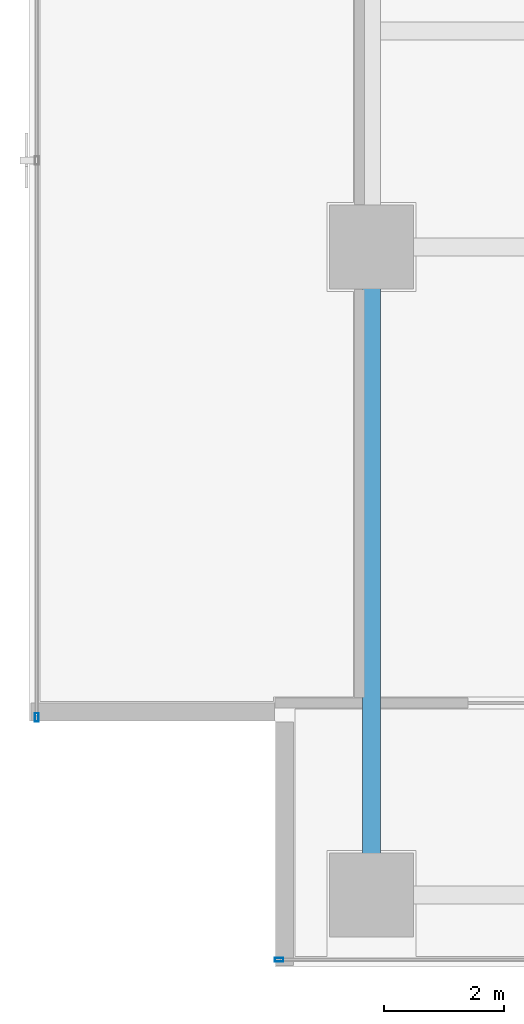
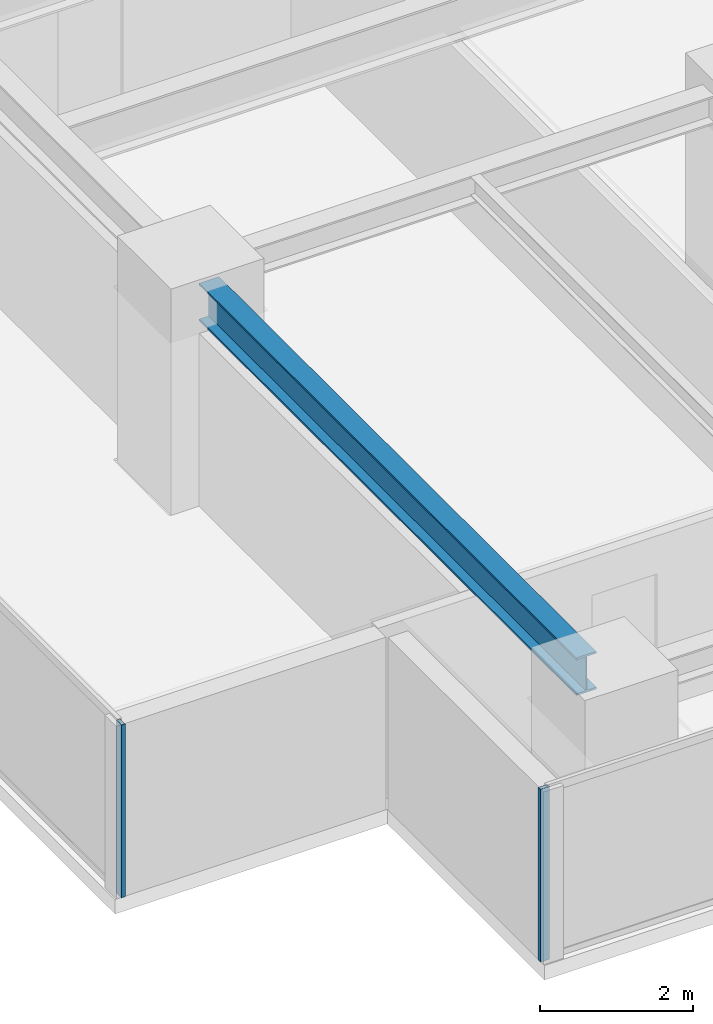
# One storey, part 2 of 26: 2 members, 1 beam, 2 elements without a shape of their own.
"""IFC4 building model written with IfcOpenShell, lengths in metres."""

import ifcopenshell
import ifcopenshell.guid

model = None  # the IFC model being written
_history = None  # IfcOwnerHistory: only IFC2X3 demands one
_inside = {}  # id of a spatial element -> (the spatial element, [elements in it])
_under = {}  # id of a project, library or spatial element -> (it, [spatial elements below it])
_declared = {}  # id of a project -> (the project, [libraries it declares])
_typed = {}  # id of a type object -> (the type object, [elements of that type])
_made_of = {}  # id of a material, layer set ... -> (it, [elements and type objects made of it])


def new_model(schema):
    """Start an empty IFC model of exactly this schema.

    Asked for "IFC4X3", IfcOpenShell would pick the latest addendum, in which some entities
    have other attributes; the version numbers below select the first issue.
    IFC2X3 requires an IfcOwnerHistory on every rooted entity: one is made here for all.
    """
    global model, _history
    if schema == "IFC4X3":
        model = ifcopenshell.file(schema_version=(4, 3, 0, 0))
    else:
        model = ifcopenshell.file(schema=schema)
    _inside.clear()
    _under.clear()
    _declared.clear()
    _typed.clear()
    _made_of.clear()
    _history = None
    if model.schema == "IFC2X3":
        org = make("IfcOrganization", Name="unknown")
        user = make(
            "IfcPersonAndOrganization",
            ThePerson=make("IfcPerson", FamilyName="unknown"),
            TheOrganization=org,
        )
        app = make(
            "IfcApplication",
            ApplicationDeveloper=org,
            Version="unknown",
            ApplicationFullName="unknown",
            ApplicationIdentifier="unknown",
        )
        _history = make(
            "IfcOwnerHistory",
            OwningUser=user,
            OwningApplication=app,
            ChangeAction="ADDED",
            CreationDate=0,
        )
    return model


def make(cls, **values):
    """One entity of the class cls with the attributes given. An attribute that is None is left unset."""
    return model.create_entity(
        cls, **{name: value for name, value in values.items() if value is not None}
    )


def rooted(cls, **values):
    """An entity with a GlobalId (a new one), such as an element, a storey or a relation."""
    return make(cls, GlobalId=ifcopenshell.guid.new(), OwnerHistory=_history, **values)


def si_unit(unit_type, name, prefix=None):
    """IfcSIUnit, for example si_unit("LENGTHUNIT", "METRE", prefix="MILLI")."""
    return make("IfcSIUnit", UnitType=unit_type, Prefix=prefix, Name=name)


def assignment(units):
    """IfcUnitAssignment: the units of a project."""
    return None if units is None else make("IfcUnitAssignment", Units=units)


def point(xyz):
    """IfcCartesianPoint."""
    return None if xyz is None else make("IfcCartesianPoint", Coordinates=xyz)


def direction(xyz):
    """IfcDirection."""
    return None if xyz is None else make("IfcDirection", DirectionRatios=xyz)


def frame(location, z_axis=None, x_axis=None):
    """IfcAxis2Placement3D, a coordinate frame: its origin and axes. An axis left out is left unset."""
    return make(
        "IfcAxis2Placement3D",
        Location=point(location),
        Axis=direction(z_axis),
        RefDirection=direction(x_axis),
    )


def frame_2d(location, x_axis=None):
    """IfcAxis2Placement2D, a coordinate frame in the plane: its origin and x axis."""
    return make(
        "IfcAxis2Placement2D", Location=point(location), RefDirection=direction(x_axis)
    )


def origin():
    """The frame at (0, 0, 0) with its axes left unset."""
    return frame((0.0, 0.0, 0.0))


def origin_2d():
    """The frame at (0, 0) in the plane with its x axis left unset."""
    return frame_2d((0.0, 0.0))


def place(relative_to, where):
    """IfcLocalPlacement: puts the frame where relative to a parent placement (None: the world)."""
    return make(
        "IfcLocalPlacement", PlacementRelTo=relative_to, RelativePlacement=where
    )


def context(
    kind, dimensions, precision=None, world=None, true_north=None, identifier=None
):
    """IfcGeometricRepresentationContext, for example the 3D "Model" context."""
    return make(
        "IfcGeometricRepresentationContext",
        ContextIdentifier=identifier,
        ContextType=kind,
        CoordinateSpaceDimension=dimensions,
        Precision=precision,
        WorldCoordinateSystem=world,
        TrueNorth=true_north,
    )


def subcontext(parent, identifier, kind, view, scale=None):
    """IfcGeometricRepresentationSubContext, for example "Body" below "Model"."""
    return make(
        "IfcGeometricRepresentationSubContext",
        ContextIdentifier=identifier,
        ContextType=kind,
        ParentContext=parent,
        TargetScale=scale,
        TargetView=view,
    )


def project(units=None, contexts=None):
    """IfcProject with its units and contexts."""
    return rooted(
        "IfcProject",
        Name="project",
        RepresentationContexts=contexts,
        UnitsInContext=assignment(units),
    )


def spatial(cls, under=None, at=None, **own):
    """A site, building, storey or space (cls), placed at a placement, below another one or the project."""
    s = rooted(cls, ObjectPlacement=at, **own)
    if under is not None:
        _under.setdefault(under.id(), (under, []))[1].append(s)
    return s


def profile(cls, at=None, kind="AREA", **sizes):
    """A parametric profile (cls). Its sizes go by their IFC names, for example OverallWidth=200.0."""
    return make(cls, ProfileType=kind, Position=at, **sizes)


def hollow_rectangle(**sizes):
    """IfcRectangleHollowProfileDef."""
    return profile("IfcRectangleHollowProfileDef", **sizes)


def i_section(**sizes):
    """IfcIShapeProfileDef."""
    return profile("IfcIShapeProfileDef", **sizes)


def extrude(swept, where, along, depth):
    """IfcExtrudedAreaSolid: the profile swept, set in the frame where, extruded along a direction by depth."""
    return make(
        "IfcExtrudedAreaSolid",
        SweptArea=swept,
        Position=where,
        ExtrudedDirection=direction(along),
        Depth=depth,
    )


def shape(context_of_items, identifier, shape_type, items):
    """IfcShapeRepresentation: the items that make up one representation, for example the "Body"."""
    return make(
        "IfcShapeRepresentation",
        ContextOfItems=context_of_items,
        RepresentationIdentifier=identifier,
        RepresentationType=shape_type,
        Items=items,
    )


def source(mapping_origin, context_of_items, identifier, shape_type, items):
    """IfcRepresentationMap: a shape defined once, which mapped items show again and again."""
    return make(
        "IfcRepresentationMap",
        MappingOrigin=mapping_origin,
        MappedRepresentation=shape(context_of_items, identifier, shape_type, items),
    )


def transform(
    local_origin,
    x_axis=None,
    y_axis=None,
    z_axis=None,
    scale=None,
    scale2=None,
    scale3=None,
    uniform=True,
):
    """IfcCartesianTransformationOperator3D, or its non-uniform kind. x_axis, y_axis, z_axis: its Axis1, 2, 3."""
    if uniform:
        return make(
            "IfcCartesianTransformationOperator3D",
            Axis1=direction(x_axis),
            Axis2=direction(y_axis),
            LocalOrigin=point(local_origin),
            Scale=scale,
            Axis3=direction(z_axis),
        )
    return make(
        "IfcCartesianTransformationOperator3DnonUniform",
        Axis1=direction(x_axis),
        Axis2=direction(y_axis),
        LocalOrigin=point(local_origin),
        Scale=scale,
        Axis3=direction(z_axis),
        Scale2=scale2,
        Scale3=scale3,
    )


def mapped(mapping_source, mapping_target):
    """IfcMappedItem: shows the shape of a source again, moved by a transform."""
    return make(
        "IfcMappedItem", MappingSource=mapping_source, MappingTarget=mapping_target
    )


def material(Name=None, Category=None):
    """IfcMaterial."""
    return make("IfcMaterial", Name=Name, Category=Category)


def layer(
    of_material, thickness, ventilated=None, Name=None, Category=None, Priority=None
):
    """IfcMaterialLayer: one layer of a wall or slab, of a material (None: an air gap)."""
    return make(
        "IfcMaterialLayer",
        Material=of_material,
        LayerThickness=thickness,
        IsVentilated=ventilated,
        Name=Name,
        Category=Category,
        Priority=Priority,
    )


def layer_set(layers, Name=None):
    """IfcMaterialLayerSet."""
    return make("IfcMaterialLayerSet", MaterialLayers=layers, LayerSetName=Name)


def material_profile(
    of_material, cross_section, Name=None, Category=None, Priority=None
):
    """IfcMaterialProfile: a cross section and its material."""
    return make(
        "IfcMaterialProfile",
        Name=Name,
        Material=of_material,
        Profile=cross_section,
        Priority=Priority,
        Category=Category,
    )


def profile_set(profiles, Name=None, composite=None):
    """IfcMaterialProfileSet."""
    return make(
        "IfcMaterialProfileSet",
        Name=Name,
        MaterialProfiles=profiles,
        CompositeProfile=composite,
    )


def made_of(thing, what):
    """Note that an element or type object is made of a material, layer set ...; save() writes the relation."""
    if what is not None:
        _made_of.setdefault(what.id(), (what, []))[1].append(thing)
    return thing


def type_object(cls, material=None, **own):
    """A type object (cls), such as IfcWallType, which elements share."""
    return made_of(rooted(cls, **own), material)


def element(
    cls,
    number,
    at=None,
    inside=None,
    cuts=None,
    type_object=None,
    material=None,
    context=None,
    identifier="Body",
    shape_type=None,
    held_by="IfcProductDefinitionShape",
    body=None,
    shapes=None,
    **own,
):
    """One element of the class cls, such as IfcWall. Its Tag is "e" and its number.

    at: its placement. inside: the storey or other place that contains it. cuts: it is an
    opening in that element (IfcRelVoidsElement). A single representation is given by context,
    identifier, shape_type and body (its items); several are given by shapes. held_by: the class
    of the entity that holds the representations. save() writes the other relations.
    """
    e = rooted(cls, Tag="e%d" % number, ObjectPlacement=at, **own)
    if body is not None:
        shapes = [shape(context, identifier, shape_type, body)]
    if shapes is not None:
        e.Representation = make(held_by, Representations=shapes)
    if inside is not None:
        _inside.setdefault(inside.id(), (inside, []))[1].append(e)
    if cuts is not None:
        rooted(
            "IfcRelVoidsElement", RelatingBuildingElement=cuts, RelatedOpeningElement=e
        )
    if type_object is not None:
        _typed.setdefault(type_object.id(), (type_object, []))[1].append(e)
    return made_of(e, material)


def aggregate(whole, parts):
    """IfcRelAggregates: a whole, such as a stair, and the parts it consists of."""
    return rooted("IfcRelAggregates", RelatingObject=whole, RelatedObjects=parts)


def save(model, path):
    """Write the relations noted so far, then the file.

    IfcRelAggregates (storeys below a building ...), IfcRelContainedInSpatialStructure (elements
    in a storey), IfcRelDefinesByType, IfcRelAssociatesMaterial and IfcRelDeclares: one each for
    every whole, place, type object, material and project.
    """
    for whole, parts in _under.values():
        aggregate(whole, parts)
    for where, things in _inside.values():
        rooted(
            "IfcRelContainedInSpatialStructure",
            RelatedElements=things,
            RelatingStructure=where,
        )
    for kind, things in _typed.values():
        rooted("IfcRelDefinesByType", RelatedObjects=things, RelatingType=kind)
    for what, things in _made_of.values():
        rooted("IfcRelAssociatesMaterial", RelatedObjects=things, RelatingMaterial=what)
    for by, libraries in _declared.values():
        rooted("IfcRelDeclares", RelatingContext=by, RelatedDefinitions=libraries)
    model.write(path)


model = new_model("IFC4")

# Units and contexts
model_context = context("Model", 3, precision=1e-05, world=origin(), true_north=direction((0.0, 1.0)))
body_context = subcontext(model_context, "Body", "Model", "MODEL_VIEW")
ifc_project = project(units=[si_unit("LENGTHUNIT", "METRE"), si_unit("AREAUNIT", "SQUARE_METRE"), si_unit("VOLUMEUNIT", "CUBIC_METRE"), si_unit("PLANEANGLEUNIT", "RADIAN"), si_unit("MASSUNIT", "GRAM", prefix="KILO")], contexts=[model_context])

# Site, building, storey
site_placement = place(None, origin())
site = spatial("IfcSite", under=ifc_project, at=site_placement, CompositionType="ELEMENT")
building_placement = place(site_placement, origin())
building = spatial("IfcBuilding", under=site, at=building_placement, Name="Sumidabori Civic Tower", CompositionType="ELEMENT")
storey_placement = place(building_placement, frame((0.0, 0.0, 261.199951171875)))
storey = spatial("IfcBuildingStorey", under=building, at=storey_placement, Name="L68", CompositionType="ELEMENT", Elevation=261.199951171875)

# Beam
ifc_material_1 = material(Name="Steel SN490", Category="steel")
ifc_material_profile_1 = material_profile(ifc_material_1, i_section(OverallWidth=0.300048828125, OverallDepth=0.60009765625, WebThickness=0.015380859375, FlangeThickness=0.030029296875, at=origin_2d()), Name="HE 600 B")
ifc_profile_set_1 = profile_set([ifc_material_profile_1], Name="Steel SN490")
beam_type = type_object("IfcBeamType", Name="BM-GIRD-600", PredefinedType="BEAM", material=ifc_profile_set_1)
shared_shape_1 = source(origin(), body_context, "Body", "SweptSolid", [
    extrude(i_section(OverallWidth=0.300048828125, OverallDepth=0.60009765625, WebThickness=0.015380859375, FlangeThickness=0.030029296875, at=origin_2d()), origin(), (0.0, 0.0, 1.0), 9.840087890625),
])
beam_placement = place(storey_placement, frame((-16.800048828125, -10.320068359375, 3.070068359375), z_axis=(0.0, 1.0, 0.0), x_axis=(-1.0, 0.0, 0.0)))
element("IfcBeam", 1, at=beam_placement, inside=storey, type_object=beam_type, Name="Primary Girder L68 GY-09", PredefinedType="BEAM", context=body_context, shape_type="MappedRepresentation", body=[
    mapped(shared_shape_1, transform((0.0, 0.0, 0.0), x_axis=(1.0, 0.0, 0.0), y_axis=(0.0, 1.0, 0.0), z_axis=(0.0, 0.0, 1.0), scale=1.0)),
])

# Curtain wall, member
ifc_material_2 = material(Name="Anodised Bronze Aluminium AW-6063-T6", Category="aluminium")
ifc_layer = layer(ifc_material_2, 0.179931640625, Name="Anodised Bronze Aluminium AW-6063-T6")
ifc_layer_set = layer_set([ifc_layer], Name="Anodised Bronze Aluminium AW-6063-T6")
curtain_wall_type = type_object("IfcCurtainWallType", Name="CW-SYS-5", PredefinedType="NOTDEFINED", material=ifc_layer_set)
curtain_wall_1_placement = place(storey_placement, origin())
curtain_wall_1 = element("IfcCurtainWall", 2, at=curtain_wall_1_placement, inside=storey, type_object=curtain_wall_type, Name="Curtain Wall CW:L68:R01", PredefinedType="NOTDEFINED")
ifc_material_profile_2 = material_profile(ifc_material_2, hollow_rectangle(XDim=0.06005859375, YDim=0.139892578125, WallThickness=0.0048828125, at=origin_2d()), Name="ALU MULLION 140x60")
ifc_profile_set_2 = profile_set([ifc_material_profile_2], Name="Anodised Bronze Aluminium AW-6063-T6")
member_type = type_object("IfcMemberType", Name="CW-MUL-140", PredefinedType="MULLION", material=ifc_profile_set_2)
shared_shape_2 = source(origin(), body_context, "Body", "SweptSolid", [
    extrude(hollow_rectangle(XDim=0.06005859375, YDim=0.139892578125, WallThickness=0.0048828125, at=origin_2d()), origin(), (0.0, 0.0, 1.0), 2.75),
])
member_1_placement = place(storey_placement, frame((-18.340087890625, -11.8798828125, 0.0), z_axis=(0.0, 0.0, 1.0), x_axis=(0.0, 1.0, 0.0)))
member_1 = element("IfcMember", 3, at=member_1_placement, type_object=member_type, Name="CW-5 mullion 1", PredefinedType="MULLION", context=body_context, shape_type="MappedRepresentation", body=[
    mapped(shared_shape_2, transform((0.0, 0.0, 0.0), x_axis=(1.0, 0.0, 0.0), y_axis=(0.0, 1.0, 0.0), z_axis=(0.0, 0.0, 1.0), scale=1.0)),
])
aggregate(curtain_wall_1, [member_1])

curtain_wall_2_placement = place(storey_placement, origin())
curtain_wall_2 = element("IfcCurtainWall", 4, at=curtain_wall_2_placement, inside=storey, type_object=curtain_wall_type, Name="Curtain Wall CW:L68:R10", PredefinedType="NOTDEFINED")
member_2_placement = place(storey_placement, frame((-22.3798828125, -7.840087890625, 0.0), z_axis=(0.0, 0.0, 1.0), x_axis=(1.0, 0.0, 0.0)))
member_2 = element("IfcMember", 5, at=member_2_placement, type_object=member_type, Name="CW-5 mullion 4", PredefinedType="MULLION", context=body_context, shape_type="MappedRepresentation", body=[
    mapped(shared_shape_2, transform((0.0, 0.0, 0.0), x_axis=(1.0, 0.0, 0.0), y_axis=(0.0, 1.0, 0.0), z_axis=(0.0, 0.0, 1.0), scale=1.0)),
])
aggregate(curtain_wall_2, [member_2])

save(model, "model.ifc")
